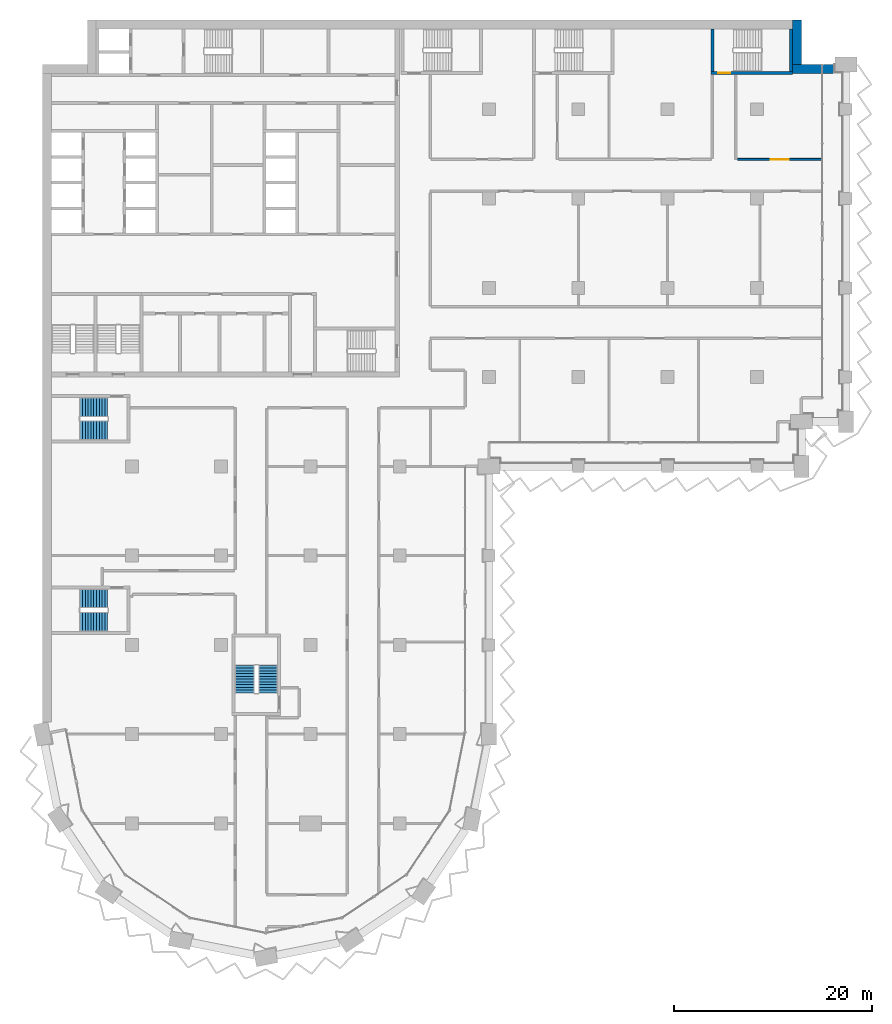
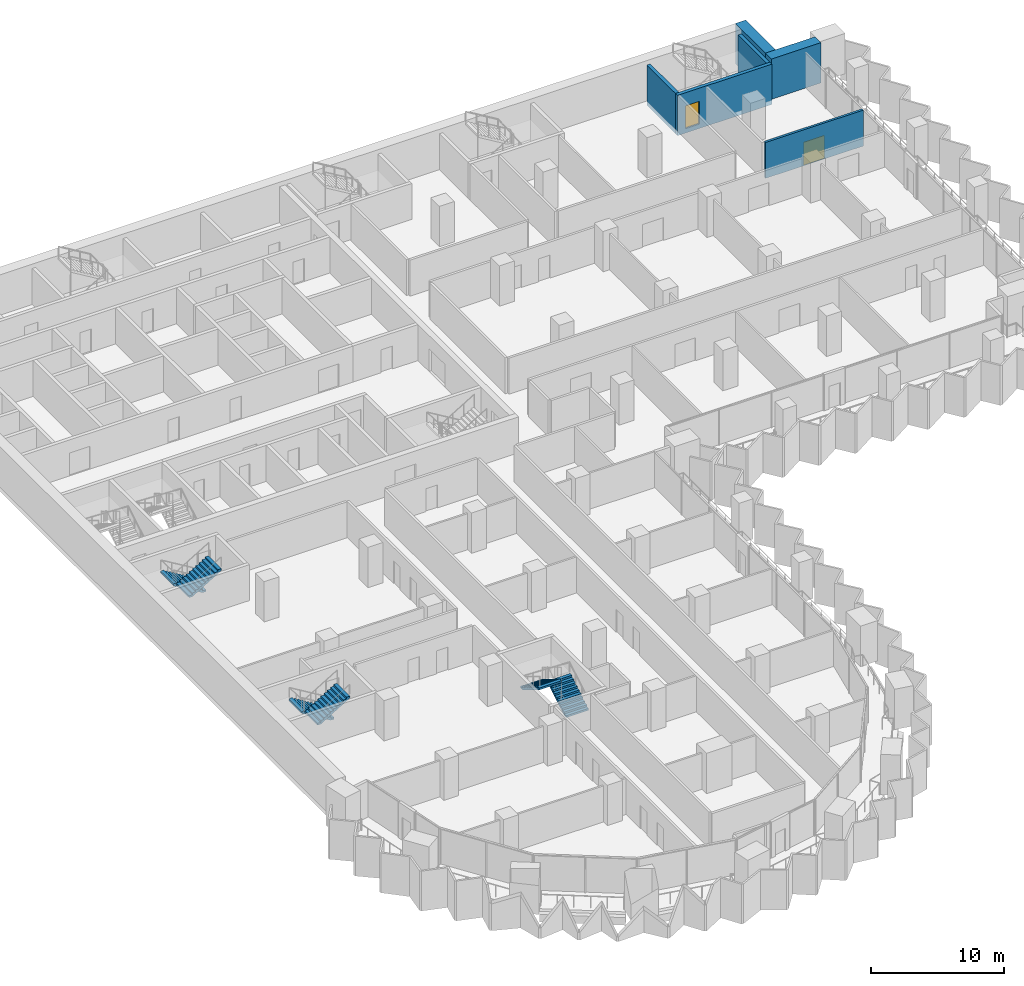
# One storey, part 15 of 22: 6 stair flights, 6 walls, 2 doors, 2 openings, 3 elements without a shape of their own.
"""IFC4 building model written with IfcOpenShell, lengths in metres."""

import ifcopenshell
import ifcopenshell.guid

model = None  # the IFC model being written
_history = None  # IfcOwnerHistory: only IFC2X3 demands one
_inside = {}  # id of a spatial element -> (the spatial element, [elements in it])
_under = {}  # id of a project, library or spatial element -> (it, [spatial elements below it])
_declared = {}  # id of a project -> (the project, [libraries it declares])
_typed = {}  # id of a type object -> (the type object, [elements of that type])
_made_of = {}  # id of a material, layer set ... -> (it, [elements and type objects made of it])


def new_model(schema):
    """Start an empty IFC model of exactly this schema.

    Asked for "IFC4X3", IfcOpenShell would pick the latest addendum, in which some entities
    have other attributes; the version numbers below select the first issue.
    IFC2X3 requires an IfcOwnerHistory on every rooted entity: one is made here for all.
    """
    global model, _history
    if schema == "IFC4X3":
        model = ifcopenshell.file(schema_version=(4, 3, 0, 0))
    else:
        model = ifcopenshell.file(schema=schema)
    _inside.clear()
    _under.clear()
    _declared.clear()
    _typed.clear()
    _made_of.clear()
    _history = None
    if model.schema == "IFC2X3":
        org = make("IfcOrganization", Name="unknown")
        user = make(
            "IfcPersonAndOrganization",
            ThePerson=make("IfcPerson", FamilyName="unknown"),
            TheOrganization=org,
        )
        app = make(
            "IfcApplication",
            ApplicationDeveloper=org,
            Version="unknown",
            ApplicationFullName="unknown",
            ApplicationIdentifier="unknown",
        )
        _history = make(
            "IfcOwnerHistory",
            OwningUser=user,
            OwningApplication=app,
            ChangeAction="ADDED",
            CreationDate=0,
        )
    return model


def make(cls, **values):
    """One entity of the class cls with the attributes given. An attribute that is None is left unset."""
    return model.create_entity(
        cls, **{name: value for name, value in values.items() if value is not None}
    )


def rooted(cls, **values):
    """An entity with a GlobalId (a new one), such as an element, a storey or a relation."""
    return make(cls, GlobalId=ifcopenshell.guid.new(), OwnerHistory=_history, **values)


def si_unit(unit_type, name, prefix=None):
    """IfcSIUnit, for example si_unit("LENGTHUNIT", "METRE", prefix="MILLI")."""
    return make("IfcSIUnit", UnitType=unit_type, Prefix=prefix, Name=name)


def assignment(units):
    """IfcUnitAssignment: the units of a project."""
    return None if units is None else make("IfcUnitAssignment", Units=units)


def point(xyz):
    """IfcCartesianPoint."""
    return None if xyz is None else make("IfcCartesianPoint", Coordinates=xyz)


def direction(xyz):
    """IfcDirection."""
    return None if xyz is None else make("IfcDirection", DirectionRatios=xyz)


def frame(location, z_axis=None, x_axis=None):
    """IfcAxis2Placement3D, a coordinate frame: its origin and axes. An axis left out is left unset."""
    return make(
        "IfcAxis2Placement3D",
        Location=point(location),
        Axis=direction(z_axis),
        RefDirection=direction(x_axis),
    )


def frame_2d(location, x_axis=None):
    """IfcAxis2Placement2D, a coordinate frame in the plane: its origin and x axis."""
    return make(
        "IfcAxis2Placement2D", Location=point(location), RefDirection=direction(x_axis)
    )


def origin():
    """The frame at (0, 0, 0) with its axes left unset."""
    return frame((0.0, 0.0, 0.0))


def place(relative_to, where):
    """IfcLocalPlacement: puts the frame where relative to a parent placement (None: the world)."""
    return make(
        "IfcLocalPlacement", PlacementRelTo=relative_to, RelativePlacement=where
    )


def context(
    kind, dimensions, precision=None, world=None, true_north=None, identifier=None
):
    """IfcGeometricRepresentationContext, for example the 3D "Model" context."""
    return make(
        "IfcGeometricRepresentationContext",
        ContextIdentifier=identifier,
        ContextType=kind,
        CoordinateSpaceDimension=dimensions,
        Precision=precision,
        WorldCoordinateSystem=world,
        TrueNorth=true_north,
    )


def subcontext(parent, identifier, kind, view, scale=None):
    """IfcGeometricRepresentationSubContext, for example "Body" below "Model"."""
    return make(
        "IfcGeometricRepresentationSubContext",
        ContextIdentifier=identifier,
        ContextType=kind,
        ParentContext=parent,
        TargetScale=scale,
        TargetView=view,
    )


def project(units=None, contexts=None):
    """IfcProject with its units and contexts."""
    return rooted(
        "IfcProject",
        Name="project",
        RepresentationContexts=contexts,
        UnitsInContext=assignment(units),
    )


def spatial(cls, under=None, at=None, **own):
    """A site, building, storey or space (cls), placed at a placement, below another one or the project."""
    s = rooted(cls, ObjectPlacement=at, **own)
    if under is not None:
        _under.setdefault(under.id(), (under, []))[1].append(s)
    return s


def polyline(points):
    """IfcPolyline through the points."""
    return make("IfcPolyline", Points=[point(p) for p in points])


def profile(cls, at=None, kind="AREA", **sizes):
    """A parametric profile (cls). Its sizes go by their IFC names, for example OverallWidth=200.0."""
    return make(cls, ProfileType=kind, Position=at, **sizes)


def rectangle(**sizes):
    """IfcRectangleProfileDef."""
    return profile("IfcRectangleProfileDef", **sizes)


def outline(outer, holes=None, kind="AREA"):
    """IfcArbitraryClosedProfileDef: a profile drawn as a closed curve; with holes, ...WithVoids."""
    if holes is None:
        return make("IfcArbitraryClosedProfileDef", ProfileType=kind, OuterCurve=outer)
    return make(
        "IfcArbitraryProfileDefWithVoids",
        ProfileType=kind,
        OuterCurve=outer,
        InnerCurves=holes,
    )


def extrude(swept, where, along, depth):
    """IfcExtrudedAreaSolid: the profile swept, set in the frame where, extruded along a direction by depth."""
    return make(
        "IfcExtrudedAreaSolid",
        SweptArea=swept,
        Position=where,
        ExtrudedDirection=direction(along),
        Depth=depth,
    )


def shape(context_of_items, identifier, shape_type, items):
    """IfcShapeRepresentation: the items that make up one representation, for example the "Body"."""
    return make(
        "IfcShapeRepresentation",
        ContextOfItems=context_of_items,
        RepresentationIdentifier=identifier,
        RepresentationType=shape_type,
        Items=items,
    )


def material(Name=None, Category=None):
    """IfcMaterial."""
    return make("IfcMaterial", Name=Name, Category=Category)


def layer(
    of_material, thickness, ventilated=None, Name=None, Category=None, Priority=None
):
    """IfcMaterialLayer: one layer of a wall or slab, of a material (None: an air gap)."""
    return make(
        "IfcMaterialLayer",
        Material=of_material,
        LayerThickness=thickness,
        IsVentilated=ventilated,
        Name=Name,
        Category=Category,
        Priority=Priority,
    )


def layer_set(layers, Name=None):
    """IfcMaterialLayerSet."""
    return make("IfcMaterialLayerSet", MaterialLayers=layers, LayerSetName=Name)


def made_of(thing, what):
    """Note that an element or type object is made of a material, layer set ...; save() writes the relation."""
    if what is not None:
        _made_of.setdefault(what.id(), (what, []))[1].append(thing)
    return thing


def type_object(cls, material=None, **own):
    """A type object (cls), such as IfcWallType, which elements share."""
    return made_of(rooted(cls, **own), material)


def element(
    cls,
    number,
    at=None,
    inside=None,
    cuts=None,
    type_object=None,
    material=None,
    context=None,
    identifier="Body",
    shape_type=None,
    held_by="IfcProductDefinitionShape",
    body=None,
    shapes=None,
    **own,
):
    """One element of the class cls, such as IfcWall. Its Tag is "e" and its number.

    at: its placement. inside: the storey or other place that contains it. cuts: it is an
    opening in that element (IfcRelVoidsElement). A single representation is given by context,
    identifier, shape_type and body (its items); several are given by shapes. held_by: the class
    of the entity that holds the representations. save() writes the other relations.
    """
    e = rooted(cls, Tag="e%d" % number, ObjectPlacement=at, **own)
    if body is not None:
        shapes = [shape(context, identifier, shape_type, body)]
    if shapes is not None:
        e.Representation = make(held_by, Representations=shapes)
    if inside is not None:
        _inside.setdefault(inside.id(), (inside, []))[1].append(e)
    if cuts is not None:
        rooted(
            "IfcRelVoidsElement", RelatingBuildingElement=cuts, RelatedOpeningElement=e
        )
    if type_object is not None:
        _typed.setdefault(type_object.id(), (type_object, []))[1].append(e)
    return made_of(e, material)


def fill(opening, filler):
    """IfcRelFillsElement: the door or window that sits in an opening."""
    return rooted(
        "IfcRelFillsElement",
        RelatingOpeningElement=opening,
        RelatedBuildingElement=filler,
    )


def aggregate(whole, parts):
    """IfcRelAggregates: a whole, such as a stair, and the parts it consists of."""
    return rooted("IfcRelAggregates", RelatingObject=whole, RelatedObjects=parts)


def save(model, path):
    """Write the relations noted so far, then the file.

    IfcRelAggregates (storeys below a building ...), IfcRelContainedInSpatialStructure (elements
    in a storey), IfcRelDefinesByType, IfcRelAssociatesMaterial and IfcRelDeclares: one each for
    every whole, place, type object, material and project.
    """
    for whole, parts in _under.values():
        aggregate(whole, parts)
    for where, things in _inside.values():
        rooted(
            "IfcRelContainedInSpatialStructure",
            RelatedElements=things,
            RelatingStructure=where,
        )
    for kind, things in _typed.values():
        rooted("IfcRelDefinesByType", RelatedObjects=things, RelatingType=kind)
    for what, things in _made_of.values():
        rooted("IfcRelAssociatesMaterial", RelatedObjects=things, RelatingMaterial=what)
    for by, libraries in _declared.values():
        rooted("IfcRelDeclares", RelatingContext=by, RelatedDefinitions=libraries)
    model.write(path)


model = new_model("IFC4")

# Units and contexts
model_context = context("Model", 3, precision=1e-05, world=origin(), true_north=direction((0.0, 1.0)))
body_context = subcontext(model_context, "Body", "Model", "MODEL_VIEW")
ifc_project = project(units=[si_unit("LENGTHUNIT", "METRE"), si_unit("AREAUNIT", "SQUARE_METRE"), si_unit("VOLUMEUNIT", "CUBIC_METRE"), si_unit("PLANEANGLEUNIT", "RADIAN"), si_unit("MASSUNIT", "GRAM", prefix="KILO")], contexts=[model_context])

# Site, building, storey
site_placement = place(None, origin())
site = spatial("IfcSite", under=ifc_project, at=site_placement, CompositionType="ELEMENT")
building_placement = place(site_placement, origin())
building = spatial("IfcBuilding", under=site, at=building_placement, Name="Hunhe Ridgeline Campus", CompositionType="ELEMENT")
storey_placement = place(building_placement, frame((0.0, 0.0, 92.199951171875)))
storey = spatial("IfcBuildingStorey", under=building, at=storey_placement, Name="L22", CompositionType="ELEMENT", Elevation=92.199951171875)

# Wall, opening, door
ifc_material_1 = material(Name="Gypsum board partition")
ifc_layer_1 = layer(ifc_material_1, 0.199951171875)
ifc_layer_set_1 = layer_set([ifc_layer_1], Name="Corridor partition 200 gypsum board on steel studs")
wall_type_1 = type_object("IfcWallType", Name="Corridor partition 200 gypsum board on steel studs", PredefinedType="PARTITIONING", material=ifc_layer_set_1)
wall_1_placement = place(storey_placement, frame((70.056884765625, 84.949951171875, 0.0), z_axis=(0.0, 0.0, 1.0), x_axis=(1.0, 0.0, 0.0)))
wall_1 = element("IfcWall", 1, at=wall_1_placement, inside=storey, type_object=wall_type_1, Name="F-L22-wall-043", PredefinedType="PARTITIONING", context=body_context, shape_type="SweptSolid", body=[
    extrude(rectangle(XDim=8.488037109375, YDim=0.199951171875, at=frame_2d((4.244140625, 0.0))), origin(), (0.0, 0.0, 1.0), 3.300048828125),
])
opening_1_placement = place(wall_1_placement, frame((3.343994140625, 0.0, 0.0)))
opening_1 = element("IfcOpeningElement", 2, at=opening_1_placement, cuts=wall_1, Name="Opening RD2-036", PredefinedType="OPENING", context=body_context, shape_type="SweptSolid", body=[
    extrude(rectangle(XDim=1.800048828125, YDim=2.10009765625, at=frame_2d((0.89990234375, 1.050048828125))), frame((0.0, 0.10009765625, 0.0), z_axis=(0.0, -1.0, 0.0), x_axis=(1.0, 0.0, 0.0)), (0.0, 0.0, 1.0), 0.199951171875),
])
ifc_material_2 = material(Name="Timber door leaf", Category="wood")
door_type_1 = type_object("IfcDoorType", Name="Double fire door 1800x2100 timber FD60", OperationType="DOUBLE_DOOR_SINGLE_SWING", PredefinedType="DOOR", material=ifc_material_2)
door_1_placement = place(opening_1_placement, origin())
door_1 = element("IfcDoor", 3, at=door_1_placement, inside=storey, type_object=door_type_1, Name="F-L22-door-036", OperationType="DOUBLE_DOOR_SINGLE_SWING", OverallHeight=2.10009765625, OverallWidth=1.800048828125, PredefinedType="DOOR", context=body_context, shape_type="SweptSolid", body=[
    extrude(rectangle(XDim=1.800048828125, YDim=2.10009765625, at=frame_2d((0.89990234375, 1.050048828125))), frame((0.0, 0.02490234375, 0.0), z_axis=(0.0, -1.0, 0.0), x_axis=(1.0, 0.0, 0.0)), (0.0, 0.0, 1.0), 0.050048828125),
])
fill(opening_1, door_1)

# Walls
ifc_material_3 = material(Name="Concrete C70", Category="concrete")
ifc_layer_2 = layer(ifc_material_3, 0.89990234375)
ifc_layer_set_2 = layer_set([ifc_layer_2], Name="Spine wall 900 Concrete C70")
wall_type_2 = type_object("IfcWallType", Name="Spine wall 900 Concrete C70", PredefinedType="SHEAR", material=ifc_layer_set_2)
wall_2_placement = place(storey_placement, frame((79.89990234375, 94.050048828125, 0.0), z_axis=(0.0, 0.0, 1.0), x_axis=(-1.0, 0.0, 0.0)))
element("IfcWall", 4, at=wall_2_placement, inside=storey, type_object=wall_type_2, Name="Spine wall SW2-2 L22", PredefinedType="SHEAR", context=body_context, shape_type="SweptSolid", body=[
    extrude(rectangle(XDim=4.30029296875, YDim=0.89990234375, at=frame_2d((2.150146484375, 0.0))), origin(), (0.0, 0.0, 1.0), 3.699951171875),
])
wall_3_placement = place(storey_placement, frame((76.050048828125, 93.60009765625, 0.0), z_axis=(0.0, 0.0, 1.0), x_axis=(0.0, 1.0, 0.0)))
element("IfcWall", 5, at=wall_3_placement, inside=storey, type_object=wall_type_2, Name="Spine wall SW2-3 L22", PredefinedType="SHEAR", context=body_context, shape_type="SweptSolid", body=[
    extrude(rectangle(XDim=5.39990234375, YDim=0.89990234375, at=frame_2d((2.699951171875, 0.0))), origin(), (0.0, 0.0, 1.0), 3.699951171875),
])

# Wall, opening, door
ifc_material_4 = material(Name="Concrete C80", Category="concrete")
ifc_layer_3 = layer(ifc_material_4, 0.300048828125)
ifc_layer_set_3 = layer_set([ifc_layer_3], Name="Stair wall 300 reinforced concrete C80")
wall_type_3 = type_object("IfcWallType", Name="Stair wall 300 reinforced concrete C80", PredefinedType="SOLIDWALL", material=ifc_layer_set_3)
wall_4_placement = place(storey_placement, frame((67.39990234375, 93.64990234375, -0.39990234375), z_axis=(0.0, 0.0, 1.0), x_axis=(1.0, 0.0, 0.0)))
wall_4 = element("IfcWall", 6, at=wall_4_placement, inside=storey, type_object=wall_type_3, Name="L22 core wall 32", PredefinedType="SOLIDWALL", context=body_context, shape_type="SweptSolid", body=[
    extrude(rectangle(XDim=8.2001953125, YDim=0.300048828125, at=frame_2d((4.10009765625, 0.0))), origin(), (0.0, 0.0, 1.0), 3.699951171875),
])
opening_2_placement = place(wall_4_placement, frame((0.699951171875, 0.0, 0.39990234375)))
opening_2 = element("IfcOpeningElement", 7, at=opening_2_placement, cuts=wall_4, Name="Opening CD19", PredefinedType="OPENING", context=body_context, shape_type="SweptSolid", body=[
    extrude(rectangle(XDim=1.199951171875, YDim=2.10009765625, at=frame_2d((0.60009765625, 1.050048828125))), frame((0.0, 0.14990234375, 0.0), z_axis=(0.0, -1.0, 0.0), x_axis=(1.0, 0.0, 0.0)), (0.0, 0.0, 1.0), 0.300048828125),
])
ifc_material_5 = material(Name="Hollow metal fire door leaf")
door_type_2 = type_object("IfcDoorType", Name="Stair door 1200x2100 FD60", OperationType="SINGLE_SWING_LEFT", PredefinedType="DOOR", material=ifc_material_5)
door_2_placement = place(opening_2_placement, frame((1.199951171875, 0.0, 0.0), z_axis=(0.0, 0.0, 1.0), x_axis=(-1.0, 0.0, 0.0)))
door_2 = element("IfcDoor", 8, at=door_2_placement, inside=storey, type_object=door_type_2, Name="L22 door E3", OperationType="SINGLE_SWING_RIGHT", OverallHeight=2.10009765625, OverallWidth=1.199951171875, PredefinedType="DOOR", context=body_context, shape_type="SweptSolid", body=[
    extrude(rectangle(XDim=1.199951171875, YDim=2.10009765625, at=frame_2d((0.60009765625, 1.050048828125))), frame((0.0, 0.02490234375, 0.0), z_axis=(0.0, -1.0, 0.0), x_axis=(1.0, 0.0, 0.0)), (0.0, 0.0, 1.0), 0.050048828125),
])
fill(opening_2, door_2)

# Walls
for number, where, z_axis, x_axis, name in (
    (9, (67.550048828125, 93.800048828125, -0.39990234375), (0.0, 0.0, 1.0), (0.0, 1.0, 0.0), "L22 core wall 66"),
    (10, (75.449951171875, 93.800048828125, -0.39990234375), (0.0, 0.0, 1.0), (0.0, 1.0, 0.0), "L22 core wall 67"),
):
    element("IfcWall", number, at=place(storey_placement, frame(where, z_axis=z_axis, x_axis=x_axis)), inside=storey, type_object=wall_type_3, Name=name, PredefinedType="SOLIDWALL", context=body_context, shape_type="SweptSolid", body=[
        extrude(rectangle(XDim=4.300048828125, YDim=0.300048828125, at=frame_2d((2.14990234375, 0.0))), origin(), (0.0, 0.0, 1.0), 3.699951171875),
    ])

# Stair, stair flights
ifc_material_6 = material(Name="Concrete C40", Category="concrete")
stair_type = type_object("IfcStairType", Name="Reinforced concrete dog-leg stair 1950 Concrete C40", PredefinedType="HALF_TURN_STAIR", material=ifc_material_6)
stair_1_placement = place(storey_placement, origin())
stair_1 = element("IfcStair", 11, at=stair_1_placement, inside=storey, type_object=stair_type, Name="L22 W3", PredefinedType="HALF_TURN_STAIR")
stair_flight_type = type_object("IfcStairFlightType", Name="Reinforced concrete stair flight 1950 Concrete C40", PredefinedType="STRAIGHT", material=ifc_material_6)
stair_flight_1_placement = place(storey_placement, frame((22.72509765625, 31.14990234375, 0.0), z_axis=(0.0, 0.0, 1.0), x_axis=(0.0, 1.0, 0.0)))
stair_flight_1 = element("IfcStairFlight", 12, at=stair_flight_1_placement, type_object=stair_flight_type, Name="ST9 flight 1", NumberOfRisers=11, NumberOfTreads=10, PredefinedType="STRAIGHT", RiserHeight=0.168181818, TreadLength=0.28, context=body_context, shape_type="SweptSolid", body=[
    extrude(outline(polyline([(0.0, 0.0), (0.0, 0.168212890625), (0.280029296875, 0.168212890625), (0.280029296875, 0.33642578125), (0.56005859375, 0.33642578125), (0.56005859375, 0.504638671875), (0.840087890625, 0.504638671875), (0.840087890625, 0.672607421875), (1.1201171875, 0.672607421875), (1.1201171875, 0.8408203125), (1.39990234375, 0.8408203125), (1.39990234375, 1.009033203125), (1.679931640625, 1.009033203125), (1.679931640625, 1.17724609375), (1.9599609375, 1.17724609375), (1.9599609375, 1.345458984375), (2.239990234375, 1.345458984375), (2.239990234375, 1.513671875), (2.52001953125, 1.513671875), (2.52001953125, 1.681884765625), (2.800048828125, 1.681884765625), (2.800048828125, 1.85009765625), (2.800048828125, 1.5068359375), (0.291015625, 0.0), (0.0, 0.0)])), frame((0.0, 0.97509765625, 0.0), z_axis=(0.0, -1.0, 0.0), x_axis=(1.0, 0.0, 0.0)), (0.0, 0.0, 1.0), 1.949951171875),
    extrude(outline(polyline([(0.030029296875, 0.030029296875), (0.030029296875, 0.13818359375), (0.31005859375, 0.13818359375), (0.31005859375, 0.306396484375), (0.590087890625, 0.306396484375), (0.590087890625, 0.474609375), (0.8701171875, 0.474609375), (0.8701171875, 0.642578125), (1.14990234375, 0.642578125), (1.14990234375, 0.810791015625), (1.429931640625, 0.810791015625), (1.429931640625, 0.97900390625), (1.7099609375, 0.97900390625), (1.7099609375, 1.147216796875), (1.989990234375, 1.147216796875), (1.989990234375, 1.3154296875), (2.27001953125, 1.3154296875), (2.27001953125, 1.483642578125), (2.550048828125, 1.483642578125), (2.550048828125, 1.65185546875), (2.77001953125, 1.65185546875), (2.77001953125, 1.52392578125), (0.28271484375, 0.030029296875), (0.030029296875, 0.030029296875)])), frame((0.0, -0.070068359375, 0.0), z_axis=(0.0, -1.0, 0.0), x_axis=(1.0, 0.0, 0.0)), (0.0, 0.0, 1.0), 0.019775390625),
    extrude(outline(polyline([(0.030029296875, 0.030029296875), (0.030029296875, 0.13818359375), (0.31005859375, 0.13818359375), (0.31005859375, 0.306396484375), (0.590087890625, 0.306396484375), (0.590087890625, 0.474609375), (0.8701171875, 0.474609375), (0.8701171875, 0.642578125), (1.14990234375, 0.642578125), (1.14990234375, 0.810791015625), (1.429931640625, 0.810791015625), (1.429931640625, 0.97900390625), (1.7099609375, 0.97900390625), (1.7099609375, 1.147216796875), (1.989990234375, 1.147216796875), (1.989990234375, 1.3154296875), (2.27001953125, 1.3154296875), (2.27001953125, 1.483642578125), (2.550048828125, 1.483642578125), (2.550048828125, 1.65185546875), (2.77001953125, 1.65185546875), (2.77001953125, 1.52392578125), (0.28271484375, 0.030029296875), (0.030029296875, 0.030029296875)])), frame((0.0, 0.010009765625, 0.0), z_axis=(0.0, -1.0, 0.0), x_axis=(1.0, 0.0, 0.0)), (0.0, 0.0, 1.0), 0.019775390625),
    extrude(outline(polyline([(0.030029296875, 0.030029296875), (0.030029296875, 0.13818359375), (0.31005859375, 0.13818359375), (0.31005859375, 0.306396484375), (0.590087890625, 0.306396484375), (0.590087890625, 0.474609375), (0.8701171875, 0.474609375), (0.8701171875, 0.642578125), (1.14990234375, 0.642578125), (1.14990234375, 0.810791015625), (1.429931640625, 0.810791015625), (1.429931640625, 0.97900390625), (1.7099609375, 0.97900390625), (1.7099609375, 1.147216796875), (1.989990234375, 1.147216796875), (1.989990234375, 1.3154296875), (2.27001953125, 1.3154296875), (2.27001953125, 1.483642578125), (2.550048828125, 1.483642578125), (2.550048828125, 1.65185546875), (2.77001953125, 1.65185546875), (2.77001953125, 1.52392578125), (0.28271484375, 0.030029296875), (0.030029296875, 0.030029296875)])), frame((0.0, 0.090087890625, 0.0), z_axis=(0.0, -1.0, 0.0), x_axis=(1.0, 0.0, 0.0)), (0.0, 0.0, 1.0), 0.019775390625),
])
stair_flight_2_placement = place(storey_placement, frame((20.375, 33.949951171875, 1.85009765625), z_axis=(0.0, 0.0, 1.0), x_axis=(0.0, -1.0, 0.0)))
stair_flight_2 = element("IfcStairFlight", 13, at=stair_flight_2_placement, type_object=stair_flight_type, Name="ST9 flight 2", NumberOfRisers=11, NumberOfTreads=10, PredefinedType="STRAIGHT", RiserHeight=0.168181818, TreadLength=0.28, context=body_context, shape_type="SweptSolid", body=[
    extrude(outline(polyline([(0.0, 0.0), (0.0, 0.168212890625), (0.280029296875, 0.168212890625), (0.280029296875, 0.33642578125), (0.56005859375, 0.33642578125), (0.56005859375, 0.504638671875), (0.840087890625, 0.504638671875), (0.840087890625, 0.672607421875), (1.1201171875, 0.672607421875), (1.1201171875, 0.8408203125), (1.39990234375, 0.8408203125), (1.39990234375, 1.009033203125), (1.679931640625, 1.009033203125), (1.679931640625, 1.17724609375), (1.9599609375, 1.17724609375), (1.9599609375, 1.345458984375), (2.239990234375, 1.345458984375), (2.239990234375, 1.513671875), (2.52001953125, 1.513671875), (2.52001953125, 1.681884765625), (2.800048828125, 1.681884765625), (2.800048828125, 1.85009765625), (2.800048828125, 1.5068359375), (0.291015625, 0.0), (0.0, 0.0)])), frame((0.0, 0.97509765625, 0.0), z_axis=(0.0, -1.0, 0.0), x_axis=(1.0, 0.0, 0.0)), (0.0, 0.0, 1.0), 1.949951171875),
    extrude(outline(polyline([(0.030029296875, 0.030029296875), (0.030029296875, 0.13818359375), (0.31005859375, 0.13818359375), (0.31005859375, 0.306396484375), (0.590087890625, 0.306396484375), (0.590087890625, 0.474609375), (0.8701171875, 0.474609375), (0.8701171875, 0.642578125), (1.14990234375, 0.642578125), (1.14990234375, 0.810791015625), (1.429931640625, 0.810791015625), (1.429931640625, 0.97900390625), (1.7099609375, 0.97900390625), (1.7099609375, 1.147216796875), (1.989990234375, 1.147216796875), (1.989990234375, 1.3154296875), (2.27001953125, 1.3154296875), (2.27001953125, 1.483642578125), (2.550048828125, 1.483642578125), (2.550048828125, 1.65185546875), (2.77001953125, 1.65185546875), (2.77001953125, 1.52392578125), (0.28271484375, 0.030029296875), (0.030029296875, 0.030029296875)])), frame((0.0, -0.070068359375, 0.0), z_axis=(0.0, -1.0, 0.0), x_axis=(1.0, 0.0, 0.0)), (0.0, 0.0, 1.0), 0.019775390625),
    extrude(outline(polyline([(0.030029296875, 0.030029296875), (0.030029296875, 0.13818359375), (0.31005859375, 0.13818359375), (0.31005859375, 0.306396484375), (0.590087890625, 0.306396484375), (0.590087890625, 0.474609375), (0.8701171875, 0.474609375), (0.8701171875, 0.642578125), (1.14990234375, 0.642578125), (1.14990234375, 0.810791015625), (1.429931640625, 0.810791015625), (1.429931640625, 0.97900390625), (1.7099609375, 0.97900390625), (1.7099609375, 1.147216796875), (1.989990234375, 1.147216796875), (1.989990234375, 1.3154296875), (2.27001953125, 1.3154296875), (2.27001953125, 1.483642578125), (2.550048828125, 1.483642578125), (2.550048828125, 1.65185546875), (2.77001953125, 1.65185546875), (2.77001953125, 1.52392578125), (0.28271484375, 0.030029296875), (0.030029296875, 0.030029296875)])), frame((0.0, 0.010009765625, 0.0), z_axis=(0.0, -1.0, 0.0), x_axis=(1.0, 0.0, 0.0)), (0.0, 0.0, 1.0), 0.019775390625),
    extrude(outline(polyline([(0.030029296875, 0.030029296875), (0.030029296875, 0.13818359375), (0.31005859375, 0.13818359375), (0.31005859375, 0.306396484375), (0.590087890625, 0.306396484375), (0.590087890625, 0.474609375), (0.8701171875, 0.474609375), (0.8701171875, 0.642578125), (1.14990234375, 0.642578125), (1.14990234375, 0.810791015625), (1.429931640625, 0.810791015625), (1.429931640625, 0.97900390625), (1.7099609375, 0.97900390625), (1.7099609375, 1.147216796875), (1.989990234375, 1.147216796875), (1.989990234375, 1.3154296875), (2.27001953125, 1.3154296875), (2.27001953125, 1.483642578125), (2.550048828125, 1.483642578125), (2.550048828125, 1.65185546875), (2.77001953125, 1.65185546875), (2.77001953125, 1.52392578125), (0.28271484375, 0.030029296875), (0.030029296875, 0.030029296875)])), frame((0.0, 0.090087890625, 0.0), z_axis=(0.0, -1.0, 0.0), x_axis=(1.0, 0.0, 0.0)), (0.0, 0.0, 1.0), 0.019775390625),
])
aggregate(stair_1, [stair_flight_1, stair_flight_2])

stair_2_placement = place(storey_placement, origin())
stair_2 = element("IfcStair", 14, at=stair_2_placement, inside=storey, type_object=stair_type, Name="L22 W1", PredefinedType="HALF_TURN_STAIR")
stair_flight_3_placement = place(storey_placement, frame((6.550048828125, 40.675048828125, 0.0), z_axis=(0.0, 0.0, 1.0), x_axis=(-1.0, 0.0, 0.0)))
stair_flight_3 = element("IfcStairFlight", 15, at=stair_flight_3_placement, type_object=stair_flight_type, Name="ST11 flight 1", NumberOfRisers=11, NumberOfTreads=10, PredefinedType="STRAIGHT", RiserHeight=0.168181818, TreadLength=0.28, context=body_context, shape_type="SweptSolid", body=[
    extrude(outline(polyline([(0.0, 0.0), (0.0, 0.168212890625), (0.280029296875, 0.168212890625), (0.280029296875, 0.33642578125), (0.56005859375, 0.33642578125), (0.56005859375, 0.504638671875), (0.840087890625, 0.504638671875), (0.840087890625, 0.672607421875), (1.1201171875, 0.672607421875), (1.1201171875, 0.8408203125), (1.39990234375, 0.8408203125), (1.39990234375, 1.009033203125), (1.679931640625, 1.009033203125), (1.679931640625, 1.17724609375), (1.9599609375, 1.17724609375), (1.9599609375, 1.345458984375), (2.239990234375, 1.345458984375), (2.239990234375, 1.513671875), (2.52001953125, 1.513671875), (2.52001953125, 1.681884765625), (2.800048828125, 1.681884765625), (2.800048828125, 1.85009765625), (2.800048828125, 1.5068359375), (0.291015625, 0.0), (0.0, 0.0)])), frame((0.0, 0.97509765625, 0.0), z_axis=(0.0, -1.0, 0.0), x_axis=(1.0, 0.0, 0.0)), (0.0, 0.0, 1.0), 1.949951171875),
    extrude(outline(polyline([(0.030029296875, 0.030029296875), (0.030029296875, 0.13818359375), (0.31005859375, 0.13818359375), (0.31005859375, 0.306396484375), (0.590087890625, 0.306396484375), (0.590087890625, 0.474609375), (0.8701171875, 0.474609375), (0.8701171875, 0.642578125), (1.14990234375, 0.642578125), (1.14990234375, 0.810791015625), (1.429931640625, 0.810791015625), (1.429931640625, 0.97900390625), (1.7099609375, 0.97900390625), (1.7099609375, 1.147216796875), (1.989990234375, 1.147216796875), (1.989990234375, 1.3154296875), (2.27001953125, 1.3154296875), (2.27001953125, 1.483642578125), (2.550048828125, 1.483642578125), (2.550048828125, 1.65185546875), (2.77001953125, 1.65185546875), (2.77001953125, 1.52392578125), (0.28271484375, 0.030029296875), (0.030029296875, 0.030029296875)])), frame((0.0, -0.070068359375, 0.0), z_axis=(0.0, -1.0, 0.0), x_axis=(1.0, 0.0, 0.0)), (0.0, 0.0, 1.0), 0.019775390625),
    extrude(outline(polyline([(0.030029296875, 0.030029296875), (0.030029296875, 0.13818359375), (0.31005859375, 0.13818359375), (0.31005859375, 0.306396484375), (0.590087890625, 0.306396484375), (0.590087890625, 0.474609375), (0.8701171875, 0.474609375), (0.8701171875, 0.642578125), (1.14990234375, 0.642578125), (1.14990234375, 0.810791015625), (1.429931640625, 0.810791015625), (1.429931640625, 0.97900390625), (1.7099609375, 0.97900390625), (1.7099609375, 1.147216796875), (1.989990234375, 1.147216796875), (1.989990234375, 1.3154296875), (2.27001953125, 1.3154296875), (2.27001953125, 1.483642578125), (2.550048828125, 1.483642578125), (2.550048828125, 1.65185546875), (2.77001953125, 1.65185546875), (2.77001953125, 1.52392578125), (0.28271484375, 0.030029296875), (0.030029296875, 0.030029296875)])), frame((0.0, 0.010009765625, 0.0), z_axis=(0.0, -1.0, 0.0), x_axis=(1.0, 0.0, 0.0)), (0.0, 0.0, 1.0), 0.019775390625),
    extrude(outline(polyline([(0.030029296875, 0.030029296875), (0.030029296875, 0.13818359375), (0.31005859375, 0.13818359375), (0.31005859375, 0.306396484375), (0.590087890625, 0.306396484375), (0.590087890625, 0.474609375), (0.8701171875, 0.474609375), (0.8701171875, 0.642578125), (1.14990234375, 0.642578125), (1.14990234375, 0.810791015625), (1.429931640625, 0.810791015625), (1.429931640625, 0.97900390625), (1.7099609375, 0.97900390625), (1.7099609375, 1.147216796875), (1.989990234375, 1.147216796875), (1.989990234375, 1.3154296875), (2.27001953125, 1.3154296875), (2.27001953125, 1.483642578125), (2.550048828125, 1.483642578125), (2.550048828125, 1.65185546875), (2.77001953125, 1.65185546875), (2.77001953125, 1.52392578125), (0.28271484375, 0.030029296875), (0.030029296875, 0.030029296875)])), frame((0.0, 0.090087890625, 0.0), z_axis=(0.0, -1.0, 0.0), x_axis=(1.0, 0.0, 0.0)), (0.0, 0.0, 1.0), 0.019775390625),
])
stair_flight_4_placement = place(storey_placement, frame((3.75, 38.324951171875, 1.85009765625), z_axis=(0.0, 0.0, 1.0), x_axis=(1.0, 0.0, 0.0)))
stair_flight_4 = element("IfcStairFlight", 16, at=stair_flight_4_placement, type_object=stair_flight_type, Name="ST11 flight 2", NumberOfRisers=11, NumberOfTreads=10, PredefinedType="STRAIGHT", RiserHeight=0.168181818, TreadLength=0.28, context=body_context, shape_type="SweptSolid", body=[
    extrude(outline(polyline([(0.0, 0.0), (0.0, 0.168212890625), (0.280029296875, 0.168212890625), (0.280029296875, 0.33642578125), (0.56005859375, 0.33642578125), (0.56005859375, 0.504638671875), (0.840087890625, 0.504638671875), (0.840087890625, 0.672607421875), (1.1201171875, 0.672607421875), (1.1201171875, 0.8408203125), (1.39990234375, 0.8408203125), (1.39990234375, 1.009033203125), (1.679931640625, 1.009033203125), (1.679931640625, 1.17724609375), (1.9599609375, 1.17724609375), (1.9599609375, 1.345458984375), (2.239990234375, 1.345458984375), (2.239990234375, 1.513671875), (2.52001953125, 1.513671875), (2.52001953125, 1.681884765625), (2.800048828125, 1.681884765625), (2.800048828125, 1.85009765625), (2.800048828125, 1.5068359375), (0.291015625, 0.0), (0.0, 0.0)])), frame((0.0, 0.97509765625, 0.0), z_axis=(0.0, -1.0, 0.0), x_axis=(1.0, 0.0, 0.0)), (0.0, 0.0, 1.0), 1.949951171875),
    extrude(outline(polyline([(0.030029296875, 0.030029296875), (0.030029296875, 0.13818359375), (0.31005859375, 0.13818359375), (0.31005859375, 0.306396484375), (0.590087890625, 0.306396484375), (0.590087890625, 0.474609375), (0.8701171875, 0.474609375), (0.8701171875, 0.642578125), (1.14990234375, 0.642578125), (1.14990234375, 0.810791015625), (1.429931640625, 0.810791015625), (1.429931640625, 0.97900390625), (1.7099609375, 0.97900390625), (1.7099609375, 1.147216796875), (1.989990234375, 1.147216796875), (1.989990234375, 1.3154296875), (2.27001953125, 1.3154296875), (2.27001953125, 1.483642578125), (2.550048828125, 1.483642578125), (2.550048828125, 1.65185546875), (2.77001953125, 1.65185546875), (2.77001953125, 1.52392578125), (0.28271484375, 0.030029296875), (0.030029296875, 0.030029296875)])), frame((0.0, -0.070068359375, 0.0), z_axis=(0.0, -1.0, 0.0), x_axis=(1.0, 0.0, 0.0)), (0.0, 0.0, 1.0), 0.019775390625),
    extrude(outline(polyline([(0.030029296875, 0.030029296875), (0.030029296875, 0.13818359375), (0.31005859375, 0.13818359375), (0.31005859375, 0.306396484375), (0.590087890625, 0.306396484375), (0.590087890625, 0.474609375), (0.8701171875, 0.474609375), (0.8701171875, 0.642578125), (1.14990234375, 0.642578125), (1.14990234375, 0.810791015625), (1.429931640625, 0.810791015625), (1.429931640625, 0.97900390625), (1.7099609375, 0.97900390625), (1.7099609375, 1.147216796875), (1.989990234375, 1.147216796875), (1.989990234375, 1.3154296875), (2.27001953125, 1.3154296875), (2.27001953125, 1.483642578125), (2.550048828125, 1.483642578125), (2.550048828125, 1.65185546875), (2.77001953125, 1.65185546875), (2.77001953125, 1.52392578125), (0.28271484375, 0.030029296875), (0.030029296875, 0.030029296875)])), frame((0.0, 0.010009765625, 0.0), z_axis=(0.0, -1.0, 0.0), x_axis=(1.0, 0.0, 0.0)), (0.0, 0.0, 1.0), 0.019775390625),
    extrude(outline(polyline([(0.030029296875, 0.030029296875), (0.030029296875, 0.13818359375), (0.31005859375, 0.13818359375), (0.31005859375, 0.306396484375), (0.590087890625, 0.306396484375), (0.590087890625, 0.474609375), (0.8701171875, 0.474609375), (0.8701171875, 0.642578125), (1.14990234375, 0.642578125), (1.14990234375, 0.810791015625), (1.429931640625, 0.810791015625), (1.429931640625, 0.97900390625), (1.7099609375, 0.97900390625), (1.7099609375, 1.147216796875), (1.989990234375, 1.147216796875), (1.989990234375, 1.3154296875), (2.27001953125, 1.3154296875), (2.27001953125, 1.483642578125), (2.550048828125, 1.483642578125), (2.550048828125, 1.65185546875), (2.77001953125, 1.65185546875), (2.77001953125, 1.52392578125), (0.28271484375, 0.030029296875), (0.030029296875, 0.030029296875)])), frame((0.0, 0.090087890625, 0.0), z_axis=(0.0, -1.0, 0.0), x_axis=(1.0, 0.0, 0.0)), (0.0, 0.0, 1.0), 0.019775390625),
])
aggregate(stair_2, [stair_flight_3, stair_flight_4])

stair_3_placement = place(storey_placement, origin())
stair_3 = element("IfcStair", 17, at=stair_3_placement, inside=storey, type_object=stair_type, Name="L22 W2", PredefinedType="HALF_TURN_STAIR")
stair_flight_5_placement = place(storey_placement, frame((6.550048828125, 59.97509765625, 0.0), z_axis=(0.0, 0.0, 1.0), x_axis=(-1.0, 0.0, 0.0)))
stair_flight_5 = element("IfcStairFlight", 18, at=stair_flight_5_placement, type_object=stair_flight_type, Name="ST12 flight 1", NumberOfRisers=11, NumberOfTreads=10, PredefinedType="STRAIGHT", RiserHeight=0.168181818, TreadLength=0.28, context=body_context, shape_type="SweptSolid", body=[
    extrude(outline(polyline([(0.0, 0.0), (0.0, 0.168212890625), (0.280029296875, 0.168212890625), (0.280029296875, 0.33642578125), (0.56005859375, 0.33642578125), (0.56005859375, 0.504638671875), (0.840087890625, 0.504638671875), (0.840087890625, 0.672607421875), (1.1201171875, 0.672607421875), (1.1201171875, 0.8408203125), (1.39990234375, 0.8408203125), (1.39990234375, 1.009033203125), (1.679931640625, 1.009033203125), (1.679931640625, 1.17724609375), (1.9599609375, 1.17724609375), (1.9599609375, 1.345458984375), (2.239990234375, 1.345458984375), (2.239990234375, 1.513671875), (2.52001953125, 1.513671875), (2.52001953125, 1.681884765625), (2.800048828125, 1.681884765625), (2.800048828125, 1.85009765625), (2.800048828125, 1.5068359375), (0.291015625, 0.0), (0.0, 0.0)])), frame((0.0, 0.97509765625, 0.0), z_axis=(0.0, -1.0, 0.0), x_axis=(1.0, 0.0, 0.0)), (0.0, 0.0, 1.0), 1.949951171875),
    extrude(outline(polyline([(0.030029296875, 0.030029296875), (0.030029296875, 0.13818359375), (0.31005859375, 0.13818359375), (0.31005859375, 0.306396484375), (0.590087890625, 0.306396484375), (0.590087890625, 0.474609375), (0.8701171875, 0.474609375), (0.8701171875, 0.642578125), (1.14990234375, 0.642578125), (1.14990234375, 0.810791015625), (1.429931640625, 0.810791015625), (1.429931640625, 0.97900390625), (1.7099609375, 0.97900390625), (1.7099609375, 1.147216796875), (1.989990234375, 1.147216796875), (1.989990234375, 1.3154296875), (2.27001953125, 1.3154296875), (2.27001953125, 1.483642578125), (2.550048828125, 1.483642578125), (2.550048828125, 1.65185546875), (2.77001953125, 1.65185546875), (2.77001953125, 1.52392578125), (0.28271484375, 0.030029296875), (0.030029296875, 0.030029296875)])), frame((0.0, -0.070068359375, 0.0), z_axis=(0.0, -1.0, 0.0), x_axis=(1.0, 0.0, 0.0)), (0.0, 0.0, 1.0), 0.019775390625),
    extrude(outline(polyline([(0.030029296875, 0.030029296875), (0.030029296875, 0.13818359375), (0.31005859375, 0.13818359375), (0.31005859375, 0.306396484375), (0.590087890625, 0.306396484375), (0.590087890625, 0.474609375), (0.8701171875, 0.474609375), (0.8701171875, 0.642578125), (1.14990234375, 0.642578125), (1.14990234375, 0.810791015625), (1.429931640625, 0.810791015625), (1.429931640625, 0.97900390625), (1.7099609375, 0.97900390625), (1.7099609375, 1.147216796875), (1.989990234375, 1.147216796875), (1.989990234375, 1.3154296875), (2.27001953125, 1.3154296875), (2.27001953125, 1.483642578125), (2.550048828125, 1.483642578125), (2.550048828125, 1.65185546875), (2.77001953125, 1.65185546875), (2.77001953125, 1.52392578125), (0.28271484375, 0.030029296875), (0.030029296875, 0.030029296875)])), frame((0.0, 0.010009765625, 0.0), z_axis=(0.0, -1.0, 0.0), x_axis=(1.0, 0.0, 0.0)), (0.0, 0.0, 1.0), 0.019775390625),
    extrude(outline(polyline([(0.030029296875, 0.030029296875), (0.030029296875, 0.13818359375), (0.31005859375, 0.13818359375), (0.31005859375, 0.306396484375), (0.590087890625, 0.306396484375), (0.590087890625, 0.474609375), (0.8701171875, 0.474609375), (0.8701171875, 0.642578125), (1.14990234375, 0.642578125), (1.14990234375, 0.810791015625), (1.429931640625, 0.810791015625), (1.429931640625, 0.97900390625), (1.7099609375, 0.97900390625), (1.7099609375, 1.147216796875), (1.989990234375, 1.147216796875), (1.989990234375, 1.3154296875), (2.27001953125, 1.3154296875), (2.27001953125, 1.483642578125), (2.550048828125, 1.483642578125), (2.550048828125, 1.65185546875), (2.77001953125, 1.65185546875), (2.77001953125, 1.52392578125), (0.28271484375, 0.030029296875), (0.030029296875, 0.030029296875)])), frame((0.0, 0.090087890625, 0.0), z_axis=(0.0, -1.0, 0.0), x_axis=(1.0, 0.0, 0.0)), (0.0, 0.0, 1.0), 0.019775390625),
])
stair_flight_6_placement = place(storey_placement, frame((3.75, 57.625, 1.85009765625), z_axis=(0.0, 0.0, 1.0), x_axis=(1.0, 0.0, 0.0)))
stair_flight_6 = element("IfcStairFlight", 19, at=stair_flight_6_placement, type_object=stair_flight_type, Name="ST12 flight 2", NumberOfRisers=11, NumberOfTreads=10, PredefinedType="STRAIGHT", RiserHeight=0.168181818, TreadLength=0.28, context=body_context, shape_type="SweptSolid", body=[
    extrude(outline(polyline([(0.0, 0.0), (0.0, 0.168212890625), (0.280029296875, 0.168212890625), (0.280029296875, 0.33642578125), (0.56005859375, 0.33642578125), (0.56005859375, 0.504638671875), (0.840087890625, 0.504638671875), (0.840087890625, 0.672607421875), (1.1201171875, 0.672607421875), (1.1201171875, 0.8408203125), (1.39990234375, 0.8408203125), (1.39990234375, 1.009033203125), (1.679931640625, 1.009033203125), (1.679931640625, 1.17724609375), (1.9599609375, 1.17724609375), (1.9599609375, 1.345458984375), (2.239990234375, 1.345458984375), (2.239990234375, 1.513671875), (2.52001953125, 1.513671875), (2.52001953125, 1.681884765625), (2.800048828125, 1.681884765625), (2.800048828125, 1.85009765625), (2.800048828125, 1.5068359375), (0.291015625, 0.0), (0.0, 0.0)])), frame((0.0, 0.97509765625, 0.0), z_axis=(0.0, -1.0, 0.0), x_axis=(1.0, 0.0, 0.0)), (0.0, 0.0, 1.0), 1.949951171875),
    extrude(outline(polyline([(0.030029296875, 0.030029296875), (0.030029296875, 0.13818359375), (0.31005859375, 0.13818359375), (0.31005859375, 0.306396484375), (0.590087890625, 0.306396484375), (0.590087890625, 0.474609375), (0.8701171875, 0.474609375), (0.8701171875, 0.642578125), (1.14990234375, 0.642578125), (1.14990234375, 0.810791015625), (1.429931640625, 0.810791015625), (1.429931640625, 0.97900390625), (1.7099609375, 0.97900390625), (1.7099609375, 1.147216796875), (1.989990234375, 1.147216796875), (1.989990234375, 1.3154296875), (2.27001953125, 1.3154296875), (2.27001953125, 1.483642578125), (2.550048828125, 1.483642578125), (2.550048828125, 1.65185546875), (2.77001953125, 1.65185546875), (2.77001953125, 1.52392578125), (0.28271484375, 0.030029296875), (0.030029296875, 0.030029296875)])), frame((0.0, -0.070068359375, 0.0), z_axis=(0.0, -1.0, 0.0), x_axis=(1.0, 0.0, 0.0)), (0.0, 0.0, 1.0), 0.019775390625),
    extrude(outline(polyline([(0.030029296875, 0.030029296875), (0.030029296875, 0.13818359375), (0.31005859375, 0.13818359375), (0.31005859375, 0.306396484375), (0.590087890625, 0.306396484375), (0.590087890625, 0.474609375), (0.8701171875, 0.474609375), (0.8701171875, 0.642578125), (1.14990234375, 0.642578125), (1.14990234375, 0.810791015625), (1.429931640625, 0.810791015625), (1.429931640625, 0.97900390625), (1.7099609375, 0.97900390625), (1.7099609375, 1.147216796875), (1.989990234375, 1.147216796875), (1.989990234375, 1.3154296875), (2.27001953125, 1.3154296875), (2.27001953125, 1.483642578125), (2.550048828125, 1.483642578125), (2.550048828125, 1.65185546875), (2.77001953125, 1.65185546875), (2.77001953125, 1.52392578125), (0.28271484375, 0.030029296875), (0.030029296875, 0.030029296875)])), frame((0.0, 0.010009765625, 0.0), z_axis=(0.0, -1.0, 0.0), x_axis=(1.0, 0.0, 0.0)), (0.0, 0.0, 1.0), 0.019775390625),
    extrude(outline(polyline([(0.030029296875, 0.030029296875), (0.030029296875, 0.13818359375), (0.31005859375, 0.13818359375), (0.31005859375, 0.306396484375), (0.590087890625, 0.306396484375), (0.590087890625, 0.474609375), (0.8701171875, 0.474609375), (0.8701171875, 0.642578125), (1.14990234375, 0.642578125), (1.14990234375, 0.810791015625), (1.429931640625, 0.810791015625), (1.429931640625, 0.97900390625), (1.7099609375, 0.97900390625), (1.7099609375, 1.147216796875), (1.989990234375, 1.147216796875), (1.989990234375, 1.3154296875), (2.27001953125, 1.3154296875), (2.27001953125, 1.483642578125), (2.550048828125, 1.483642578125), (2.550048828125, 1.65185546875), (2.77001953125, 1.65185546875), (2.77001953125, 1.52392578125), (0.28271484375, 0.030029296875), (0.030029296875, 0.030029296875)])), frame((0.0, 0.090087890625, 0.0), z_axis=(0.0, -1.0, 0.0), x_axis=(1.0, 0.0, 0.0)), (0.0, 0.0, 1.0), 0.019775390625),
])
aggregate(stair_3, [stair_flight_5, stair_flight_6])

save(model, "model.ifc")
